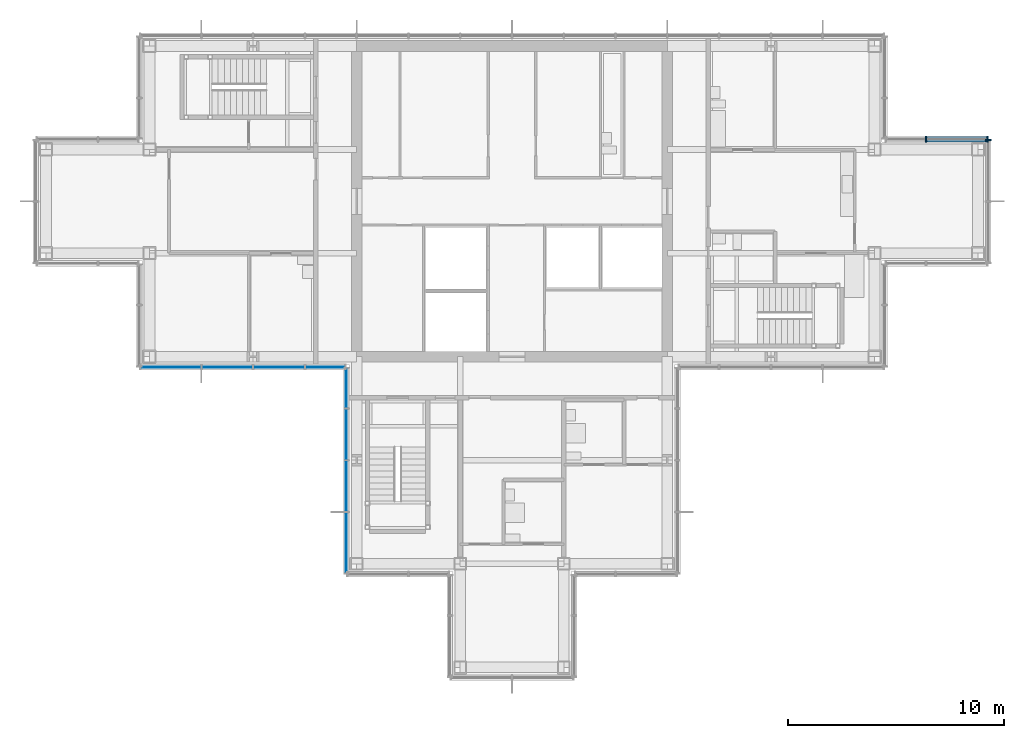
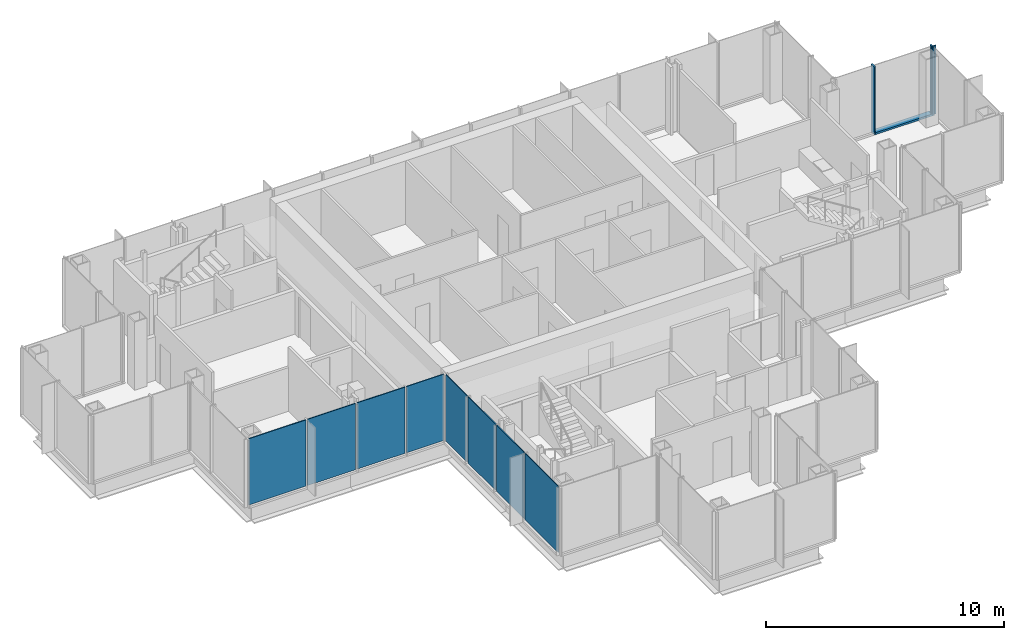
# One storey, part 8 of 15: 8 plates, 4 members, 4 elements without a shape of their own.
"""IFC4 building model written with IfcOpenShell, lengths in metres."""

from ifc_helpers import new_model, si_unit, direction, frame, origin, origin_2d, place, context, subcontext, project, spatial, rectangle, extrude, material, layer, layer_set, material_profile, profile_set, type_object, element, aggregate, save


model = new_model("IFC4")

# Units and contexts
model_context = context("Model", 3, precision=1e-05, world=origin(), true_north=direction((0.0, 1.0)))
body_context = subcontext(model_context, "Body", "Model", "MODEL_VIEW")
ifc_project = project(units=[si_unit("LENGTHUNIT", "METRE"), si_unit("AREAUNIT", "SQUARE_METRE"), si_unit("VOLUMEUNIT", "CUBIC_METRE"), si_unit("PLANEANGLEUNIT", "RADIAN"), si_unit("MASSUNIT", "GRAM", prefix="KILO")], contexts=[model_context])

# Site, building, storey
site_placement = place(None, origin())
site = spatial("IfcSite", under=ifc_project, at=site_placement, CompositionType="ELEMENT")
building_placement = place(site_placement, origin())
building = spatial("IfcBuilding", under=site, at=building_placement, Name="Kvirike Care Tower", CompositionType="ELEMENT")
storey_placement = place(building_placement, frame((0.0, 0.0, 240.0)))
storey = spatial("IfcBuildingStorey", under=building, at=storey_placement, Name="L66", CompositionType="ELEMENT", Elevation=240.0)

# Curtain wall, member
ifc_material_1 = material(Name="Anodised aluminium stick system", Category="aluminium")
curtain_wall_type = type_object("IfcCurtainWallType", Name="CW-D STICK CURTAIN WALL", PredefinedType="NOTDEFINED", material=ifc_material_1)
curtain_wall_1_placement = place(storey_placement, origin())
curtain_wall_1 = element("IfcCurtainWall", 1, at=curtain_wall_1_placement, inside=storey, type_object=curtain_wall_type, Name="Curtain wall L66 face 4", PredefinedType="NOTDEFINED")
ifc_material_2 = material(Name="Bronze anodised aluminium mullion", Category="aluminium")
ifc_material_profile_1 = material_profile(ifc_material_2, rectangle(XDim=0.06494140625, YDim=0.260009765625, at=origin_2d()), Name="CW-D MULLION 65x260")
ifc_profile_set_1 = profile_set([ifc_material_profile_1], Name="Bronze anodised aluminium mullion")
member_type_1 = type_object("IfcMemberType", Name="CW-D MULLION 65x260", PredefinedType="MULLION", material=ifc_profile_set_1)
member_1_placement = place(storey_placement, frame((43.679931640625, 38.847412109375, 0.0), z_axis=(0.0, 0.0, 1.0), x_axis=(0.0, 1.0, 0.0)))
member_1 = element("IfcMember", 2, at=member_1_placement, type_object=member_type_1, Name="CW-D mullion L66 face 4.3", PredefinedType="MULLION", context=body_context, shape_type="SweptSolid", body=[
    extrude(rectangle(XDim=0.06494140625, YDim=0.260009765625, at=origin_2d()), origin(), (0.0, 0.0, 1.0), 3.5),
])
aggregate(curtain_wall_1, [member_1])

# Curtain wall, members
curtain_wall_2_placement = place(storey_placement, origin())
curtain_wall_2 = element("IfcCurtainWall", 3, at=curtain_wall_2_placement, inside=storey, type_object=curtain_wall_type, Name="Curtain wall L66 face 5", PredefinedType="NOTDEFINED")
member_2_placement = place(storey_placement, frame((43.6474609375, 38.8798828125, 0.0), z_axis=(0.0, 0.0, 1.0), x_axis=(-1.0, 0.0, 0.0)))
member_2 = element("IfcMember", 4, at=member_2_placement, type_object=member_type_1, Name="CW-D mullion L66 face 5.1", PredefinedType="MULLION", context=body_context, shape_type="SweptSolid", body=[
    extrude(rectangle(XDim=0.06494140625, YDim=0.260009765625, at=origin_2d()), origin(), (0.0, 0.0, 1.0), 3.5),
])
member_3_placement = place(storey_placement, frame((40.800048828125, 38.8798828125, 0.0), z_axis=(0.0, 0.0, 1.0), x_axis=(-1.0, 0.0, 0.0)))
member_3 = element("IfcMember", 5, at=member_3_placement, type_object=member_type_1, Name="CW-D mullion L66 face 5.2", PredefinedType="MULLION", context=body_context, shape_type="SweptSolid", body=[
    extrude(rectangle(XDim=0.06494140625, YDim=0.260009765625, at=origin_2d()), origin(), (0.0, 0.0, 1.0), 3.5),
])
ifc_material_3 = material(Name="Bronze anodised aluminium transom", Category="aluminium")
ifc_material_profile_2 = material_profile(ifc_material_3, rectangle(XDim=0.260009765625, YDim=0.10009765625, at=origin_2d()), Name="CW-D TRANSOM 260x100")
ifc_profile_set_2 = profile_set([ifc_material_profile_2], Name="Bronze anodised aluminium transom")
member_type_2 = type_object("IfcMemberType", Name="CW-D TRANSOM 260x100", PredefinedType="USERDEFINED", material=ifc_profile_set_2)
member_4_placement = place(storey_placement, frame((43.614990234375, 38.8798828125, 0.050048828125), z_axis=(-1.0, 0.0, 0.0), x_axis=(0.0, -1.0, 0.0)))
member_4 = element("IfcMember", 6, at=member_4_placement, type_object=member_type_2, Name="CW-D sill transom L66 face 5.1", ObjectType="TRANSOM", PredefinedType="USERDEFINED", context=body_context, shape_type="SweptSolid", body=[
    extrude(rectangle(XDim=0.260009765625, YDim=0.10009765625, at=origin_2d()), origin(), (0.0, 0.0, 1.0), 2.782470703125),
])
aggregate(curtain_wall_2, [member_2, member_3, member_4])

# Curtain wall, plates
curtain_wall_3_placement = place(storey_placement, origin())
curtain_wall_3 = element("IfcCurtainWall", 7, at=curtain_wall_3_placement, inside=storey, type_object=curtain_wall_type, Name="Curtain wall L66 face 13", PredefinedType="NOTDEFINED")
ifc_material_4 = material(Name="Tinted double glazed unit", Category="glass")
ifc_layer = layer(ifc_material_4, 0.0439453125)
ifc_layer_set = layer_set([ifc_layer], Name="TINTED VISION PANEL 44")
plate_type = type_object("IfcPlateType", Name="TINTED VISION PANEL 44", PredefinedType="CURTAIN_PANEL", material=ifc_layer_set)
plate_1_placement = place(storey_placement, frame((5.7763671875, 28.320068359375, 0.10009765625), z_axis=(0.0, 0.0, 1.0), x_axis=(1.0, 0.0, 0.0)))
plate_1 = element("IfcPlate", 8, at=plate_1_placement, type_object=plate_type, Name="CW-D panel L66 face 13.1", PredefinedType="CURTAIN_PANEL", context=body_context, shape_type="SweptSolid", body=[
    extrude(rectangle(XDim=2.782470703125, YDim=0.0439453125, at=origin_2d()), origin(), (0.0, 0.0, 1.0), 3.39990234375),
])
plate_2_placement = place(storey_placement, frame((8.39990234375, 28.320068359375, 0.10009765625), z_axis=(0.0, 0.0, 1.0), x_axis=(1.0, 0.0, 0.0)))
plate_2 = element("IfcPlate", 9, at=plate_2_placement, type_object=plate_type, Name="CW-D panel L66 face 13.2", PredefinedType="CURTAIN_PANEL", context=body_context, shape_type="SweptSolid", body=[
    extrude(rectangle(XDim=2.3349609375, YDim=0.0439453125, at=origin_2d()), origin(), (0.0, 0.0, 1.0), 3.39990234375),
])
plate_3_placement = place(storey_placement, frame((10.800048828125, 28.320068359375, 0.10009765625), z_axis=(0.0, 0.0, 1.0), x_axis=(1.0, 0.0, 0.0)))
plate_3 = element("IfcPlate", 10, at=plate_3_placement, type_object=plate_type, Name="CW-D panel L66 face 13.3", PredefinedType="CURTAIN_PANEL", context=body_context, shape_type="SweptSolid", body=[
    extrude(rectangle(XDim=2.3349609375, YDim=0.0439453125, at=origin_2d()), origin(), (0.0, 0.0, 1.0), 3.39990234375),
])
plate_4_placement = place(storey_placement, frame((12.94384765625, 28.320068359375, 0.10009765625), z_axis=(0.0, 0.0, 1.0), x_axis=(1.0, 0.0, 0.0)))
plate_4 = element("IfcPlate", 11, at=plate_4_placement, type_object=plate_type, Name="CW-D panel L66 face 13.4", PredefinedType="CURTAIN_PANEL", context=body_context, shape_type="SweptSolid", body=[
    extrude(rectangle(XDim=1.822509765625, YDim=0.0439453125, at=origin_2d()), origin(), (0.0, 0.0, 1.0), 3.39990234375),
])
aggregate(curtain_wall_3, [plate_1, plate_2, plate_3, plate_4])

curtain_wall_4_placement = place(storey_placement, origin())
curtain_wall_4 = element("IfcCurtainWall", 12, at=curtain_wall_4_placement, inside=storey, type_object=curtain_wall_type, Name="Curtain wall L66 face 14", PredefinedType="NOTDEFINED")
plate_5_placement = place(storey_placement, frame((13.919921875, 27.34375, 0.10009765625), z_axis=(0.0, 0.0, 1.0), x_axis=(0.0, -1.0, 0.0)))
plate_5 = element("IfcPlate", 13, at=plate_5_placement, type_object=plate_type, Name="CW-D panel L66 face 14.1", PredefinedType="CURTAIN_PANEL", context=body_context, shape_type="SweptSolid", body=[
    extrude(rectangle(XDim=1.822509765625, YDim=0.0439453125, at=origin_2d()), origin(), (0.0, 0.0, 1.0), 3.39990234375),
])
plate_6_placement = place(storey_placement, frame((13.919921875, 25.199951171875, 0.10009765625), z_axis=(0.0, 0.0, 1.0), x_axis=(0.0, -1.0, 0.0)))
plate_6 = element("IfcPlate", 14, at=plate_6_placement, type_object=plate_type, Name="CW-D panel L66 face 14.2", PredefinedType="CURTAIN_PANEL", context=body_context, shape_type="SweptSolid", body=[
    extrude(rectangle(XDim=2.3349609375, YDim=0.0439453125, at=origin_2d()), origin(), (0.0, 0.0, 1.0), 3.39990234375),
])
plate_7_placement = place(storey_placement, frame((13.919921875, 22.800048828125, 0.10009765625), z_axis=(0.0, 0.0, 1.0), x_axis=(0.0, -1.0, 0.0)))
plate_7 = element("IfcPlate", 15, at=plate_7_placement, type_object=plate_type, Name="CW-D panel L66 face 14.3", PredefinedType="CURTAIN_PANEL", context=body_context, shape_type="SweptSolid", body=[
    extrude(rectangle(XDim=2.3349609375, YDim=0.0439453125, at=origin_2d()), origin(), (0.0, 0.0, 1.0), 3.39990234375),
])
plate_8_placement = place(storey_placement, frame((13.919921875, 20.17626953125, 0.10009765625), z_axis=(0.0, 0.0, 1.0), x_axis=(0.0, -1.0, 0.0)))
plate_8 = element("IfcPlate", 16, at=plate_8_placement, type_object=plate_type, Name="CW-D panel L66 face 14.4", PredefinedType="CURTAIN_PANEL", context=body_context, shape_type="SweptSolid", body=[
    extrude(rectangle(XDim=2.782470703125, YDim=0.0439453125, at=origin_2d()), origin(), (0.0, 0.0, 1.0), 3.39990234375),
])
aggregate(curtain_wall_4, [plate_5, plate_6, plate_7, plate_8])

save(model, "model.ifc")
